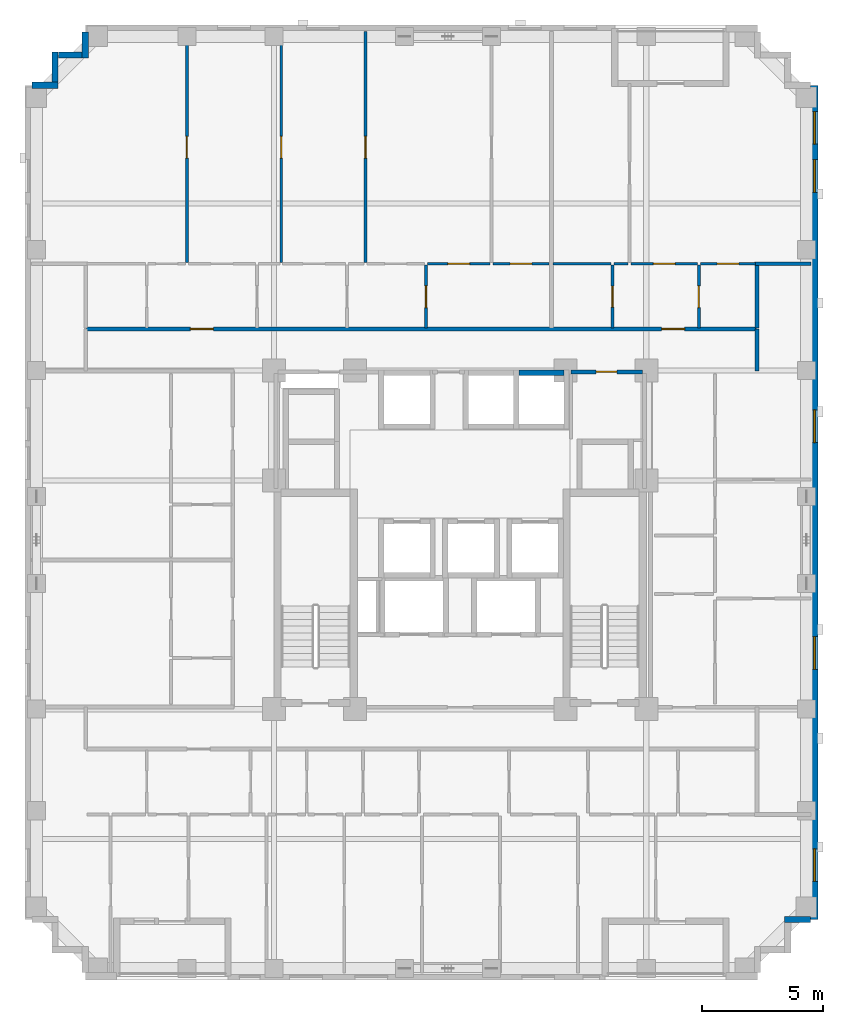
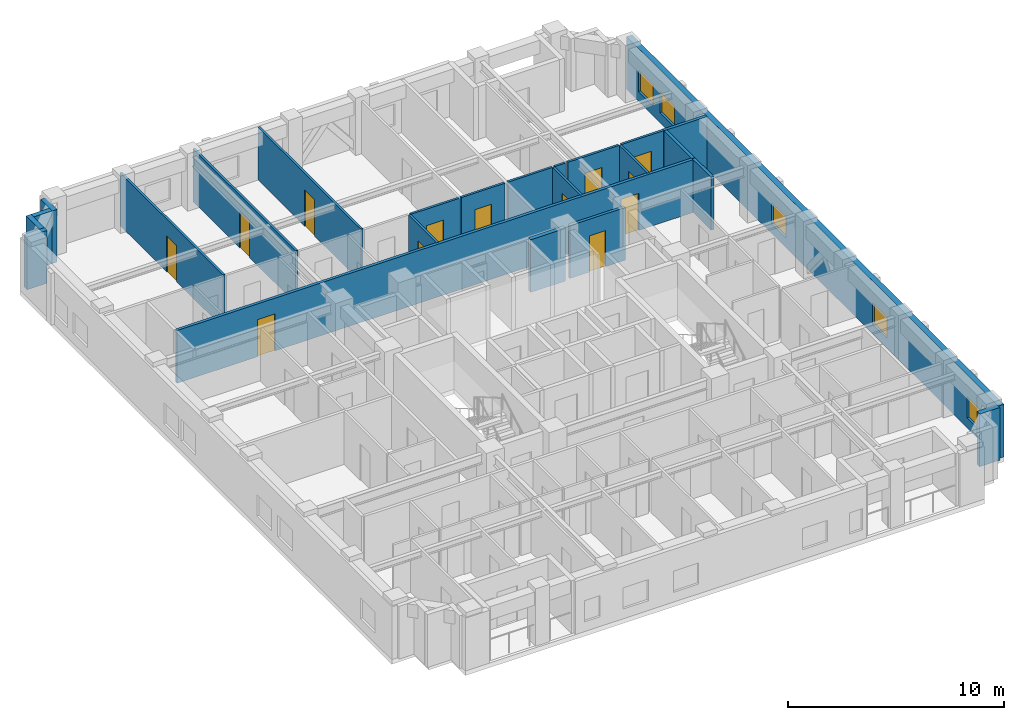
# One storey, part 7 of 12: 24 walls, 13 doors, 5 windows, 18 openings.
"""IFC4 building model written with IfcOpenShell, lengths in metres."""

import ifcopenshell
import ifcopenshell.guid

model = None  # the IFC model being written
_history = None  # IfcOwnerHistory: only IFC2X3 demands one
_inside = {}  # id of a spatial element -> (the spatial element, [elements in it])
_under = {}  # id of a project, library or spatial element -> (it, [spatial elements below it])
_declared = {}  # id of a project -> (the project, [libraries it declares])
_typed = {}  # id of a type object -> (the type object, [elements of that type])
_made_of = {}  # id of a material, layer set ... -> (it, [elements and type objects made of it])


def new_model(schema):
    """Start an empty IFC model of exactly this schema.

    Asked for "IFC4X3", IfcOpenShell would pick the latest addendum, in which some entities
    have other attributes; the version numbers below select the first issue.
    IFC2X3 requires an IfcOwnerHistory on every rooted entity: one is made here for all.
    """
    global model, _history
    if schema == "IFC4X3":
        model = ifcopenshell.file(schema_version=(4, 3, 0, 0))
    else:
        model = ifcopenshell.file(schema=schema)
    _inside.clear()
    _under.clear()
    _declared.clear()
    _typed.clear()
    _made_of.clear()
    _history = None
    if model.schema == "IFC2X3":
        org = make("IfcOrganization", Name="unknown")
        user = make(
            "IfcPersonAndOrganization",
            ThePerson=make("IfcPerson", FamilyName="unknown"),
            TheOrganization=org,
        )
        app = make(
            "IfcApplication",
            ApplicationDeveloper=org,
            Version="unknown",
            ApplicationFullName="unknown",
            ApplicationIdentifier="unknown",
        )
        _history = make(
            "IfcOwnerHistory",
            OwningUser=user,
            OwningApplication=app,
            ChangeAction="ADDED",
            CreationDate=0,
        )
    return model


def make(cls, **values):
    """One entity of the class cls with the attributes given. An attribute that is None is left unset."""
    return model.create_entity(
        cls, **{name: value for name, value in values.items() if value is not None}
    )


def rooted(cls, **values):
    """An entity with a GlobalId (a new one), such as an element, a storey or a relation."""
    return make(cls, GlobalId=ifcopenshell.guid.new(), OwnerHistory=_history, **values)


def si_unit(unit_type, name, prefix=None):
    """IfcSIUnit, for example si_unit("LENGTHUNIT", "METRE", prefix="MILLI")."""
    return make("IfcSIUnit", UnitType=unit_type, Prefix=prefix, Name=name)


def derived_unit(unit_type, elements):
    """IfcDerivedUnit: a product of units, each with its exponent."""
    return make(
        "IfcDerivedUnit",
        Elements=[
            make("IfcDerivedUnitElement", Unit=unit, Exponent=power)
            for unit, power in elements
        ],
        UnitType=unit_type,
    )


def assignment(units):
    """IfcUnitAssignment: the units of a project."""
    return None if units is None else make("IfcUnitAssignment", Units=units)


def point(xyz):
    """IfcCartesianPoint."""
    return None if xyz is None else make("IfcCartesianPoint", Coordinates=xyz)


def direction(xyz):
    """IfcDirection."""
    return None if xyz is None else make("IfcDirection", DirectionRatios=xyz)


def frame(location, z_axis=None, x_axis=None):
    """IfcAxis2Placement3D, a coordinate frame: its origin and axes. An axis left out is left unset."""
    return make(
        "IfcAxis2Placement3D",
        Location=point(location),
        Axis=direction(z_axis),
        RefDirection=direction(x_axis),
    )


def frame_2d(location, x_axis=None):
    """IfcAxis2Placement2D, a coordinate frame in the plane: its origin and x axis."""
    return make(
        "IfcAxis2Placement2D", Location=point(location), RefDirection=direction(x_axis)
    )


def origin():
    """The frame at (0, 0, 0) with its axes left unset."""
    return frame((0.0, 0.0, 0.0))


def place(relative_to, where):
    """IfcLocalPlacement: puts the frame where relative to a parent placement (None: the world)."""
    return make(
        "IfcLocalPlacement", PlacementRelTo=relative_to, RelativePlacement=where
    )


def context(
    kind, dimensions, precision=None, world=None, true_north=None, identifier=None
):
    """IfcGeometricRepresentationContext, for example the 3D "Model" context."""
    return make(
        "IfcGeometricRepresentationContext",
        ContextIdentifier=identifier,
        ContextType=kind,
        CoordinateSpaceDimension=dimensions,
        Precision=precision,
        WorldCoordinateSystem=world,
        TrueNorth=true_north,
    )


def subcontext(parent, identifier, kind, view, scale=None):
    """IfcGeometricRepresentationSubContext, for example "Body" below "Model"."""
    return make(
        "IfcGeometricRepresentationSubContext",
        ContextIdentifier=identifier,
        ContextType=kind,
        ParentContext=parent,
        TargetScale=scale,
        TargetView=view,
    )


def project(units=None, contexts=None):
    """IfcProject with its units and contexts."""
    return rooted(
        "IfcProject",
        Name="project",
        RepresentationContexts=contexts,
        UnitsInContext=assignment(units),
    )


def spatial(cls, under=None, at=None, **own):
    """A site, building, storey or space (cls), placed at a placement, below another one or the project."""
    s = rooted(cls, ObjectPlacement=at, **own)
    if under is not None:
        _under.setdefault(under.id(), (under, []))[1].append(s)
    return s


def profile(cls, at=None, kind="AREA", **sizes):
    """A parametric profile (cls). Its sizes go by their IFC names, for example OverallWidth=200.0."""
    return make(cls, ProfileType=kind, Position=at, **sizes)


def rectangle(**sizes):
    """IfcRectangleProfileDef."""
    return profile("IfcRectangleProfileDef", **sizes)


def extrude(swept, where, along, depth):
    """IfcExtrudedAreaSolid: the profile swept, set in the frame where, extruded along a direction by depth."""
    return make(
        "IfcExtrudedAreaSolid",
        SweptArea=swept,
        Position=where,
        ExtrudedDirection=direction(along),
        Depth=depth,
    )


def shape(context_of_items, identifier, shape_type, items):
    """IfcShapeRepresentation: the items that make up one representation, for example the "Body"."""
    return make(
        "IfcShapeRepresentation",
        ContextOfItems=context_of_items,
        RepresentationIdentifier=identifier,
        RepresentationType=shape_type,
        Items=items,
    )


def material(Name=None, Category=None):
    """IfcMaterial."""
    return make("IfcMaterial", Name=Name, Category=Category)


def layer(
    of_material, thickness, ventilated=None, Name=None, Category=None, Priority=None
):
    """IfcMaterialLayer: one layer of a wall or slab, of a material (None: an air gap)."""
    return make(
        "IfcMaterialLayer",
        Material=of_material,
        LayerThickness=thickness,
        IsVentilated=ventilated,
        Name=Name,
        Category=Category,
        Priority=Priority,
    )


def layer_set(layers, Name=None):
    """IfcMaterialLayerSet."""
    return make("IfcMaterialLayerSet", MaterialLayers=layers, LayerSetName=Name)


def made_of(thing, what):
    """Note that an element or type object is made of a material, layer set ...; save() writes the relation."""
    if what is not None:
        _made_of.setdefault(what.id(), (what, []))[1].append(thing)
    return thing


def type_object(cls, material=None, **own):
    """A type object (cls), such as IfcWallType, which elements share."""
    return made_of(rooted(cls, **own), material)


def element(
    cls,
    number,
    at=None,
    inside=None,
    cuts=None,
    type_object=None,
    material=None,
    context=None,
    identifier="Body",
    shape_type=None,
    held_by="IfcProductDefinitionShape",
    body=None,
    shapes=None,
    **own,
):
    """One element of the class cls, such as IfcWall. Its Tag is "e" and its number.

    at: its placement. inside: the storey or other place that contains it. cuts: it is an
    opening in that element (IfcRelVoidsElement). A single representation is given by context,
    identifier, shape_type and body (its items); several are given by shapes. held_by: the class
    of the entity that holds the representations. save() writes the other relations.
    """
    e = rooted(cls, Tag="e%d" % number, ObjectPlacement=at, **own)
    if body is not None:
        shapes = [shape(context, identifier, shape_type, body)]
    if shapes is not None:
        e.Representation = make(held_by, Representations=shapes)
    if inside is not None:
        _inside.setdefault(inside.id(), (inside, []))[1].append(e)
    if cuts is not None:
        rooted(
            "IfcRelVoidsElement", RelatingBuildingElement=cuts, RelatedOpeningElement=e
        )
    if type_object is not None:
        _typed.setdefault(type_object.id(), (type_object, []))[1].append(e)
    return made_of(e, material)


def fill(opening, filler):
    """IfcRelFillsElement: the door or window that sits in an opening."""
    return rooted(
        "IfcRelFillsElement",
        RelatingOpeningElement=opening,
        RelatedBuildingElement=filler,
    )


def aggregate(whole, parts):
    """IfcRelAggregates: a whole, such as a stair, and the parts it consists of."""
    return rooted("IfcRelAggregates", RelatingObject=whole, RelatedObjects=parts)


def save(model, path):
    """Write the relations noted so far, then the file.

    IfcRelAggregates (storeys below a building ...), IfcRelContainedInSpatialStructure (elements
    in a storey), IfcRelDefinesByType, IfcRelAssociatesMaterial and IfcRelDeclares: one each for
    every whole, place, type object, material and project.
    """
    for whole, parts in _under.values():
        aggregate(whole, parts)
    for where, things in _inside.values():
        rooted(
            "IfcRelContainedInSpatialStructure",
            RelatedElements=things,
            RelatingStructure=where,
        )
    for kind, things in _typed.values():
        rooted("IfcRelDefinesByType", RelatedObjects=things, RelatingType=kind)
    for what, things in _made_of.values():
        rooted("IfcRelAssociatesMaterial", RelatedObjects=things, RelatingMaterial=what)
    for by, libraries in _declared.values():
        rooted("IfcRelDeclares", RelatingContext=by, RelatedDefinitions=libraries)
    model.write(path)


model = new_model("IFC4")

# Units and contexts
model_context = context("Model", 3, precision=1e-05, world=origin(), true_north=direction((0.0, 1.0)))
body_context = subcontext(model_context, "Body", "Model", "MODEL_VIEW")
ifc_project = project(units=[si_unit("LENGTHUNIT", "METRE"), si_unit("AREAUNIT", "SQUARE_METRE"), si_unit("VOLUMEUNIT", "CUBIC_METRE"), si_unit("PLANEANGLEUNIT", "RADIAN"), si_unit("MASSUNIT", "GRAM", prefix="KILO"), derived_unit("THERMALTRANSMITTANCEUNIT", [(si_unit("MASSUNIT", "GRAM", prefix="KILO"), 1), (si_unit("TIMEUNIT", "SECOND"), -3), (si_unit("THERMODYNAMICTEMPERATUREUNIT", "KELVIN"), -1)])], contexts=[model_context])

# Site, building, storey
site_placement = place(None, origin())
site = spatial("IfcSite", under=ifc_project, at=site_placement, CompositionType="ELEMENT")
building_placement = place(site_placement, origin())
building = spatial("IfcBuilding", under=site, at=building_placement, Name="Korrvale Station Residences", CompositionType="ELEMENT")
storey_placement = place(building_placement, frame((0.0, 0.0, 127.64990234375)))
storey = spatial("IfcBuildingStorey", under=building, at=storey_placement, Name="L36", CompositionType="ELEMENT", Elevation=127.64990234375)

# Walls
ifc_material_1 = material(Name="Precast concrete C45/55", Category="concrete")
ifc_layer_1 = layer(ifc_material_1, 0.260009765625, Name="Precast concrete C45/55")
ifc_layer_set_1 = layer_set([ifc_layer_1], Name="Precast concrete C45/55")
wall_type_1 = type_object("IfcWallType", Name="WAL-EXT-LOG260", PredefinedType="SOLIDWALL", material=ifc_layer_set_1)
wall_1_placement = place(storey_placement, frame((7.802001953125, 40.800048828125, 0.0), z_axis=(0.0, 0.0, 1.0), x_axis=(1.0, 0.0, 0.0)))
element("IfcWall", 1, at=wall_1_placement, inside=storey, type_object=wall_type_1, Name="L36 Serrated Corner Precast Step NW-1", PredefinedType="SOLIDWALL", context=body_context, shape_type="SweptSolid", body=[
    extrude(rectangle(XDim=1.077880859375, YDim=0.260009765625, at=frame_2d((0.5390625, 0.0))), origin(), (0.0, 0.0, 1.0), 2.989990234375),
])
wall_2_placement = place(storey_placement, frame((8.75, 40.931884765625, 0.0), z_axis=(0.0, 0.0, 1.0), x_axis=(0.0, 1.0, 0.0)))
element("IfcWall", 2, at=wall_2_placement, inside=storey, type_object=wall_type_1, Name="L36 Serrated Corner Precast Step NW-2", PredefinedType="SOLIDWALL", context=body_context, shape_type="SweptSolid", body=[
    extrude(rectangle(XDim=1.248046875, YDim=0.260009765625, at=frame_2d((0.6240234375, 0.0))), origin(), (0.0, 0.0, 1.0), 2.989990234375),
])
wall_3_placement = place(storey_placement, frame((8.882080078125, 42.050048828125, 0.0), z_axis=(0.0, 0.0, 1.0), x_axis=(1.0, 0.0, 0.0)))
element("IfcWall", 3, at=wall_3_placement, inside=storey, type_object=wall_type_1, Name="L36 Serrated Corner Precast Step NW-3", PredefinedType="SOLIDWALL", context=body_context, shape_type="SweptSolid", body=[
    extrude(rectangle(XDim=0.98583984375, YDim=0.260009765625, at=frame_2d((0.492919921875, 0.0))), origin(), (0.0, 0.0, 1.0), 2.989990234375),
])
for number, where, z_axis, x_axis, name in (
    (4, (10.0, 41.919921875, 0.0), (0.0, 0.0, 1.0), (0.0, 1.0, 0.0), "L36 Serrated Corner Precast Step NW-4"),
    (5, (39.998046875, 6.300048828125, 0.0), (0.0, 0.0, 1.0), (-1.0, 0.0, 0.0), "L36 Serrated Corner Precast Step SE-1"),
):
    element("IfcWall", number, at=place(storey_placement, frame(where, z_axis=z_axis, x_axis=x_axis)), inside=storey, type_object=wall_type_1, Name=name, PredefinedType="SOLIDWALL", context=body_context, shape_type="SweptSolid", body=[
        extrude(rectangle(XDim=1.078125, YDim=0.260009765625, at=frame_2d((0.5390625, 0.0))), origin(), (0.0, 0.0, 1.0), 2.989990234375),
    ])

# Wall, openings, windows
ifc_layer_2 = layer(ifc_material_1, 0.300048828125, Name="Precast concrete C45/55")
ifc_layer_set_2 = layer_set([ifc_layer_2], Name="Precast concrete C45/55")
wall_type_2 = type_object("IfcWallType", Name="WAL-EXT-PC300", PredefinedType="SOLIDWALL", material=ifc_layer_set_2)
wall_4_placement = place(storey_placement, frame((40.14990234375, 40.800048828125, 0.0), z_axis=(0.0, 0.0, 1.0), x_axis=(0.0, -1.0, 0.0)))
wall_4 = element("IfcWall", 6, at=wall_4_placement, inside=storey, type_object=wall_type_2, Name="L36 East Exterior Precast Wall 1", PredefinedType="SOLIDWALL", context=body_context, shape_type="SweptSolid", body=[
    extrude(rectangle(XDim=34.5, YDim=0.300048828125, at=frame_2d((17.25, 0.0))), origin(), (0.0, 0.0, 1.0), 2.989990234375),
])
opening_1_placement = place(wall_4_placement, frame((31.574951171875, 0.0, 0.550048828125)))
opening_1 = element("IfcOpeningElement", 7, at=opening_1_placement, cuts=wall_4, Name="Opening W-10", PredefinedType="OPENING", context=body_context, shape_type="SweptSolid", body=[
    extrude(rectangle(XDim=1.35009765625, YDim=1.199951171875, at=frame_2d((0.675048828125, 0.60009765625))), frame((0.0, 0.16015625, 0.0), z_axis=(0.0, -1.0, 0.0), x_axis=(1.0, 0.0, 0.0)), (0.0, 0.0, 1.0), 0.320068359375),
])
opening_2_placement = place(wall_4_placement, frame((3.074951171875, 0.0, 0.550048828125)))
opening_2 = element("IfcOpeningElement", 8, at=opening_2_placement, cuts=wall_4, Name="Opening W-10", PredefinedType="OPENING", context=body_context, shape_type="SweptSolid", body=[
    extrude(rectangle(XDim=1.35009765625, YDim=1.199951171875, at=frame_2d((0.675048828125, 0.60009765625))), frame((0.0, 0.16015625, 0.0), z_axis=(0.0, -1.0, 0.0), x_axis=(1.0, 0.0, 0.0)), (0.0, 0.0, 1.0), 0.320068359375),
])
opening_3_placement = place(wall_4_placement, frame((1.0849609375, 0.0, 0.550048828125)))
opening_3 = element("IfcOpeningElement", 9, at=opening_3_placement, cuts=wall_4, Name="Opening W-10", PredefinedType="OPENING", context=body_context, shape_type="SweptSolid", body=[
    extrude(rectangle(XDim=1.35009765625, YDim=1.199951171875, at=frame_2d((0.675048828125, 0.60009765625))), frame((0.0, 0.16015625, 0.0), z_axis=(0.0, -1.0, 0.0), x_axis=(1.0, 0.0, 0.0)), (0.0, 0.0, 1.0), 0.320068359375),
])
opening_4_placement = place(wall_4_placement, frame((22.800048828125, 0.0, 0.550048828125)))
opening_4 = element("IfcOpeningElement", 10, at=opening_4_placement, cuts=wall_4, Name="Opening W-10", PredefinedType="OPENING", context=body_context, shape_type="SweptSolid", body=[
    extrude(rectangle(XDim=1.35009765625, YDim=1.199951171875, at=frame_2d((0.675048828125, 0.60009765625))), frame((0.0, 0.16015625, 0.0), z_axis=(0.0, -1.0, 0.0), x_axis=(1.0, 0.0, 0.0)), (0.0, 0.0, 1.0), 0.320068359375),
])
opening_5_placement = place(wall_4_placement, frame((13.425048828125, 0.0, 0.550048828125)))
opening_5 = element("IfcOpeningElement", 11, at=opening_5_placement, cuts=wall_4, Name="Opening W-10", PredefinedType="OPENING", context=body_context, shape_type="SweptSolid", body=[
    extrude(rectangle(XDim=1.35009765625, YDim=1.199951171875, at=frame_2d((0.675048828125, 0.60009765625))), frame((0.0, 0.16015625, 0.0), z_axis=(0.0, -1.0, 0.0), x_axis=(1.0, 0.0, 0.0)), (0.0, 0.0, 1.0), 0.320068359375),
])
ifc_material_2 = material(Name="Thermally broken aluminium frame with triple low-e glazing", Category="aluminium")
window_type = type_object("IfcWindowType", Name="WIN-W10", PartitioningType="SINGLE_PANEL", PredefinedType="WINDOW", material=ifc_material_2)
window_1_placement = place(opening_1_placement, origin())
window_1 = element("IfcWindow", 12, at=window_1_placement, inside=storey, type_object=window_type, Name="L36 Punched Window 08", OverallHeight=1.199951171875, OverallWidth=1.35009765625, PartitioningType="SINGLE_PANEL", PredefinedType="WINDOW", context=body_context, shape_type="SweptSolid", body=[
    extrude(rectangle(XDim=1.35009765625, YDim=1.199951171875, at=frame_2d((0.675048828125, 0.60009765625))), frame((0.0, 0.030029296875, 0.0), z_axis=(0.0, -1.0, 0.0), x_axis=(1.0, 0.0, 0.0)), (0.0, 0.0, 1.0), 0.06005859375),
])
fill(opening_1, window_1)
window_2_placement = place(opening_2_placement, origin())
window_2 = element("IfcWindow", 13, at=window_2_placement, inside=storey, type_object=window_type, Name="L36 Punched Window 15", OverallHeight=1.199951171875, OverallWidth=1.35009765625, PartitioningType="SINGLE_PANEL", PredefinedType="WINDOW", context=body_context, shape_type="SweptSolid", body=[
    extrude(rectangle(XDim=1.35009765625, YDim=1.199951171875, at=frame_2d((0.675048828125, 0.60009765625))), frame((0.0, 0.030029296875, 0.0), z_axis=(0.0, -1.0, 0.0), x_axis=(1.0, 0.0, 0.0)), (0.0, 0.0, 1.0), 0.06005859375),
])
fill(opening_2, window_2)
window_3_placement = place(opening_3_placement, origin())
window_3 = element("IfcWindow", 14, at=window_3_placement, inside=storey, type_object=window_type, Name="L36 Punched Window 16", OverallHeight=1.199951171875, OverallWidth=1.35009765625, PartitioningType="SINGLE_PANEL", PredefinedType="WINDOW", context=body_context, shape_type="SweptSolid", body=[
    extrude(rectangle(XDim=1.35009765625, YDim=1.199951171875, at=frame_2d((0.675048828125, 0.60009765625))), frame((0.0, 0.030029296875, 0.0), z_axis=(0.0, -1.0, 0.0), x_axis=(1.0, 0.0, 0.0)), (0.0, 0.0, 1.0), 0.06005859375),
])
fill(opening_3, window_3)
window_4_placement = place(opening_4_placement, origin())
window_4 = element("IfcWindow", 15, at=window_4_placement, inside=storey, type_object=window_type, Name="L36 Punched Window 21", OverallHeight=1.199951171875, OverallWidth=1.35009765625, PartitioningType="SINGLE_PANEL", PredefinedType="WINDOW", context=body_context, shape_type="SweptSolid", body=[
    extrude(rectangle(XDim=1.35009765625, YDim=1.199951171875, at=frame_2d((0.675048828125, 0.60009765625))), frame((0.0, 0.030029296875, 0.0), z_axis=(0.0, -1.0, 0.0), x_axis=(1.0, 0.0, 0.0)), (0.0, 0.0, 1.0), 0.06005859375),
])
fill(opening_4, window_4)
window_5_placement = place(opening_5_placement, origin())
window_5 = element("IfcWindow", 16, at=window_5_placement, inside=storey, type_object=window_type, Name="L36 Punched Window 22", OverallHeight=1.199951171875, OverallWidth=1.35009765625, PartitioningType="SINGLE_PANEL", PredefinedType="WINDOW", context=body_context, shape_type="SweptSolid", body=[
    extrude(rectangle(XDim=1.35009765625, YDim=1.199951171875, at=frame_2d((0.675048828125, 0.60009765625))), frame((0.0, 0.030029296875, 0.0), z_axis=(0.0, -1.0, 0.0), x_axis=(1.0, 0.0, 0.0)), (0.0, 0.0, 1.0), 0.06005859375),
])
fill(opening_5, window_5)

# Wall, opening, door
ifc_material_3 = material(Name="Acoustic steel-stud gypsum board partition", Category="steel")
ifc_layer_3 = layer(ifc_material_3, 0.1201171875, Name="Acoustic steel-stud gypsum board partition")
ifc_layer_set_3 = layer_set([ifc_layer_3], Name="Acoustic steel-stud gypsum board partition")
wall_type_3 = type_object("IfcWallType", Name="WAL-PART-125", PredefinedType="PARTITIONING", material=ifc_layer_set_3)
wall_5_placement = place(storey_placement, frame((24.090087890625, 30.760009765625, 0.0), z_axis=(0.0, 0.0, 1.0), x_axis=(0.0, 1.0, 0.0)))
wall_5 = element("IfcWall", 17, at=wall_5_placement, inside=storey, type_object=wall_type_3, Name="L36 Suite Partition U02-V34", PredefinedType="PARTITIONING", context=body_context, shape_type="SweptSolid", body=[
    extrude(rectangle(XDim=2.60009765625, YDim=0.1201171875, at=frame_2d((1.300048828125, 0.0))), origin(), (0.0, 0.0, 1.0), 2.989990234375),
])
opening_6_placement = place(wall_5_placement, frame((0.85009765625, 0.0, 0.0)))
opening_6 = element("IfcOpeningElement", 18, at=opening_6_placement, cuts=wall_5, Name="Opening DI-900", PredefinedType="OPENING", context=body_context, shape_type="SweptSolid", body=[
    extrude(rectangle(XDim=0.89990234375, YDim=2.050048828125, at=frame_2d((0.449951171875, 1.02490234375))), frame((0.0, 0.070068359375, 0.0), z_axis=(0.0, -1.0, 0.0), x_axis=(1.0, 0.0, 0.0)), (0.0, 0.0, 1.0), 0.14013671875),
])
ifc_material_4 = material(Name="Painted solid-core timber interior room door", Category="wood")
door_type_1 = type_object("IfcDoorType", Name="DR-INT-900", OperationType="NOTDEFINED", PredefinedType="DOOR", material=ifc_material_4)
door_1_placement = place(opening_6_placement, origin())
door_1 = element("IfcDoor", 19, at=door_1_placement, inside=storey, type_object=door_type_1, Name="L36 Apartment 1BR L36-U02 Storage Closet 2 Door", OperationType="SINGLE_SWING_LEFT", OverallHeight=2.050048828125, OverallWidth=0.89990234375, PredefinedType="DOOR", context=body_context, shape_type="SweptSolid", body=[
    extrude(rectangle(XDim=0.89990234375, YDim=2.050048828125, at=frame_2d((0.449951171875, 1.02490234375))), frame((0.0, 0.02490234375, 0.0), z_axis=(0.0, -1.0, 0.0), x_axis=(1.0, 0.0, 0.0)), (0.0, 0.0, 1.0), 0.050048828125),
])
fill(opening_6, door_1)

wall_6_placement = place(storey_placement, frame((24.14990234375, 33.419921875, 0.0), z_axis=(0.0, 0.0, 1.0), x_axis=(1.0, 0.0, 0.0)))
wall_6 = element("IfcWall", 20, at=wall_6_placement, inside=storey, type_object=wall_type_3, Name="L36 Suite Partition U02-H48", PredefinedType="PARTITIONING", context=body_context, shape_type="SweptSolid", body=[
    extrude(rectangle(XDim=2.590087890625, YDim=0.1201171875, at=frame_2d((1.294921875, 0.0))), origin(), (0.0, 0.0, 1.0), 2.989990234375),
])
opening_7_placement = place(wall_6_placement, frame((0.844970703125, 0.0, 0.0)))
opening_7 = element("IfcOpeningElement", 21, at=opening_7_placement, cuts=wall_6, Name="Opening DI-900", PredefinedType="OPENING", context=body_context, shape_type="SweptSolid", body=[
    extrude(rectangle(XDim=0.89990234375, YDim=2.050048828125, at=frame_2d((0.449951171875, 1.02490234375))), frame((0.0, 0.070068359375, 0.0), z_axis=(0.0, -1.0, 0.0), x_axis=(1.0, 0.0, 0.0)), (0.0, 0.0, 1.0), 0.14013671875),
])
door_2_placement = place(opening_7_placement, origin())
door_2 = element("IfcDoor", 22, at=door_2_placement, inside=storey, type_object=door_type_1, Name="L36 Apartment 1BR L36-U02 Storage Closet 3 Door", OperationType="SINGLE_SWING_LEFT", OverallHeight=2.050048828125, OverallWidth=0.89990234375, PredefinedType="DOOR", context=body_context, shape_type="SweptSolid", body=[
    extrude(rectangle(XDim=0.89990234375, YDim=2.050048828125, at=frame_2d((0.449951171875, 1.02490234375))), frame((0.0, 0.02490234375, 0.0), z_axis=(0.0, -1.0, 0.0), x_axis=(1.0, 0.0, 0.0)), (0.0, 0.0, 1.0), 0.050048828125),
])
fill(opening_7, door_2)

wall_7_placement = place(storey_placement, frame((26.860107421875, 33.419921875, 0.0), z_axis=(0.0, 0.0, 1.0), x_axis=(1.0, 0.0, 0.0)))
wall_7 = element("IfcWall", 23, at=wall_7_placement, inside=storey, type_object=wall_type_3, Name="L36 Suite Partition U02-H49", PredefinedType="PARTITIONING", context=body_context, shape_type="SweptSolid", body=[
    extrude(rectangle(XDim=2.322998046875, YDim=0.1201171875, at=frame_2d((1.16162109375, 0.0))), origin(), (0.0, 0.0, 1.0), 2.989990234375),
])
opening_8_placement = place(wall_7_placement, frame((0.7119140625, 0.0, 0.0)))
opening_8 = element("IfcOpeningElement", 24, at=opening_8_placement, cuts=wall_7, Name="Opening DI-900", PredefinedType="OPENING", context=body_context, shape_type="SweptSolid", body=[
    extrude(rectangle(XDim=0.89990234375, YDim=2.050048828125, at=frame_2d((0.449951171875, 1.02490234375))), frame((0.0, 0.070068359375, 0.0), z_axis=(0.0, -1.0, 0.0), x_axis=(1.0, 0.0, 0.0)), (0.0, 0.0, 1.0), 0.14013671875),
])
door_3_placement = place(opening_8_placement, origin())
door_3 = element("IfcDoor", 25, at=door_3_placement, inside=storey, type_object=door_type_1, Name="L36 Apartment 1BR L36-U02 Storage Closet 3 Door", OperationType="SINGLE_SWING_RIGHT", OverallHeight=2.050048828125, OverallWidth=0.89990234375, PredefinedType="DOOR", context=body_context, shape_type="SweptSolid", body=[
    extrude(rectangle(XDim=0.89990234375, YDim=2.050048828125, at=frame_2d((0.449951171875, 1.02490234375))), frame((0.0, 0.02490234375, 0.0), z_axis=(0.0, -1.0, 0.0), x_axis=(1.0, 0.0, 0.0)), (0.0, 0.0, 1.0), 0.050048828125),
])
fill(opening_8, door_3)

wall_8_placement = place(storey_placement, frame((14.199951171875, 33.47998046875, 0.0), z_axis=(0.0, 0.0, 1.0), x_axis=(0.0, 1.0, 0.0)))
wall_8 = element("IfcWall", 26, at=wall_8_placement, inside=storey, type_object=wall_type_3, Name="L36 Suite Partition U02-V56", PredefinedType="PARTITIONING", context=body_context, shape_type="SweptSolid", body=[
    extrude(rectangle(XDim=9.5400390625, YDim=0.1201171875, at=frame_2d((4.77001953125, 0.0))), origin(), (0.0, 0.0, 1.0), 2.989990234375),
])
opening_9_placement = place(wall_8_placement, frame((4.304931640625, 0.0, 0.0)))
opening_9 = element("IfcOpeningElement", 27, at=opening_9_placement, cuts=wall_8, Name="Opening DI-900", PredefinedType="OPENING", context=body_context, shape_type="SweptSolid", body=[
    extrude(rectangle(XDim=0.89990234375, YDim=2.050048828125, at=frame_2d((0.449951171875, 1.02490234375))), frame((0.0, 0.070068359375, 0.0), z_axis=(0.0, -1.0, 0.0), x_axis=(1.0, 0.0, 0.0)), (0.0, 0.0, 1.0), 0.14013671875),
])
door_4_placement = place(opening_9_placement, origin())
door_4 = element("IfcDoor", 28, at=door_4_placement, inside=storey, type_object=door_type_1, Name="L36 Apartment 1BR L36-U02 Living and Dining Room Door", OperationType="SINGLE_SWING_LEFT", OverallHeight=2.050048828125, OverallWidth=0.89990234375, PredefinedType="DOOR", context=body_context, shape_type="SweptSolid", body=[
    extrude(rectangle(XDim=0.89990234375, YDim=2.050048828125, at=frame_2d((0.449951171875, 1.02490234375))), frame((0.0, 0.02490234375, 0.0), z_axis=(0.0, -1.0, 0.0), x_axis=(1.0, 0.0, 0.0)), (0.0, 0.0, 1.0), 0.050048828125),
])
fill(opening_9, door_4)

wall_9_placement = place(storey_placement, frame((18.10498046875, 33.47998046875, 0.0), z_axis=(0.0, 0.0, 1.0), x_axis=(0.0, 1.0, 0.0)))
wall_9 = element("IfcWall", 29, at=wall_9_placement, inside=storey, type_object=wall_type_3, Name="L36 Suite Partition U02-V67", PredefinedType="PARTITIONING", context=body_context, shape_type="SweptSolid", body=[
    extrude(rectangle(XDim=9.5400390625, YDim=0.1201171875, at=frame_2d((4.77001953125, 0.0))), origin(), (0.0, 0.0, 1.0), 2.989990234375),
])
opening_10_placement = place(wall_9_placement, frame((4.304931640625, 0.0, 0.0)))
opening_10 = element("IfcOpeningElement", 30, at=opening_10_placement, cuts=wall_9, Name="Opening DI-900", PredefinedType="OPENING", context=body_context, shape_type="SweptSolid", body=[
    extrude(rectangle(XDim=0.89990234375, YDim=2.050048828125, at=frame_2d((0.449951171875, 1.02490234375))), frame((0.0, 0.070068359375, 0.0), z_axis=(0.0, -1.0, 0.0), x_axis=(1.0, 0.0, 0.0)), (0.0, 0.0, 1.0), 0.14013671875),
])
door_5_placement = place(opening_10_placement, origin())
door_5 = element("IfcDoor", 31, at=door_5_placement, inside=storey, type_object=door_type_1, Name="L36 Apartment 1BR L36-U02 Formal Dining Room Door", OperationType="SINGLE_SWING_RIGHT", OverallHeight=2.050048828125, OverallWidth=0.89990234375, PredefinedType="DOOR", context=body_context, shape_type="SweptSolid", body=[
    extrude(rectangle(XDim=0.89990234375, YDim=2.050048828125, at=frame_2d((0.449951171875, 1.02490234375))), frame((0.0, 0.02490234375, 0.0), z_axis=(0.0, -1.0, 0.0), x_axis=(1.0, 0.0, 0.0)), (0.0, 0.0, 1.0), 0.050048828125),
])
fill(opening_10, door_5)

wall_10_placement = place(storey_placement, frame((21.590087890625, 33.47998046875, 0.0), z_axis=(0.0, 0.0, 1.0), x_axis=(0.0, 1.0, 0.0)))
wall_10 = element("IfcWall", 32, at=wall_10_placement, inside=storey, type_object=wall_type_3, Name="L36 Suite Partition U02-V78", PredefinedType="PARTITIONING", context=body_context, shape_type="SweptSolid", body=[
    extrude(rectangle(XDim=9.5400390625, YDim=0.1201171875, at=frame_2d((4.77001953125, 0.0))), origin(), (0.0, 0.0, 1.0), 2.989990234375),
])
opening_11_placement = place(wall_10_placement, frame((4.304931640625, 0.0, 0.0)))
opening_11 = element("IfcOpeningElement", 33, at=opening_11_placement, cuts=wall_10, Name="Opening DI-900", PredefinedType="OPENING", context=body_context, shape_type="SweptSolid", body=[
    extrude(rectangle(XDim=0.89990234375, YDim=2.050048828125, at=frame_2d((0.449951171875, 1.02490234375))), frame((0.0, 0.070068359375, 0.0), z_axis=(0.0, -1.0, 0.0), x_axis=(1.0, 0.0, 0.0)), (0.0, 0.0, 1.0), 0.14013671875),
])
door_6_placement = place(opening_11_placement, origin())
door_6 = element("IfcDoor", 34, at=door_6_placement, inside=storey, type_object=door_type_1, Name="L36 Apartment 1BR L36-U02 Home Study Room Door", OperationType="SINGLE_SWING_LEFT", OverallHeight=2.050048828125, OverallWidth=0.89990234375, PredefinedType="DOOR", context=body_context, shape_type="SweptSolid", body=[
    extrude(rectangle(XDim=0.89990234375, YDim=2.050048828125, at=frame_2d((0.449951171875, 1.02490234375))), frame((0.0, 0.02490234375, 0.0), z_axis=(0.0, -1.0, 0.0), x_axis=(1.0, 0.0, 0.0)), (0.0, 0.0, 1.0), 0.050048828125),
])
fill(opening_11, door_6)

wall_11_placement = place(storey_placement, frame((31.802978515625, 30.760009765625, 0.0), z_axis=(0.0, 0.0, 1.0), x_axis=(0.0, 1.0, 0.0)))
wall_11 = element("IfcWall", 35, at=wall_11_placement, inside=storey, type_object=wall_type_3, Name="L36 Suite Partition U03-V01", PredefinedType="PARTITIONING", context=body_context, shape_type="SweptSolid", body=[
    extrude(rectangle(XDim=2.60009765625, YDim=0.1201171875, at=frame_2d((1.300048828125, 0.0))), origin(), (0.0, 0.0, 1.0), 2.989990234375),
])
opening_12_placement = place(wall_11_placement, frame((0.8701171875, 0.0, 0.0)))
opening_12 = element("IfcOpeningElement", 36, at=opening_12_placement, cuts=wall_11, Name="Opening DB-860", PredefinedType="OPENING", context=body_context, shape_type="SweptSolid", body=[
    extrude(rectangle(XDim=0.860107421875, YDim=2.050048828125, at=frame_2d((0.43017578125, 1.02490234375))), frame((0.0, 0.070068359375, 0.0), z_axis=(0.0, -1.0, 0.0), x_axis=(1.0, 0.0, 0.0)), (0.0, 0.0, 1.0), 0.14013671875),
])
ifc_material_5 = material(Name="Moisture-resistant solid-core bathroom door", Category="timber")
door_type_2 = type_object("IfcDoorType", Name="DR-BATH-860", OperationType="NOTDEFINED", PredefinedType="DOOR", material=ifc_material_5)
door_7_placement = place(opening_12_placement, origin())
door_7 = element("IfcDoor", 37, at=door_7_placement, inside=storey, type_object=door_type_2, Name="L36 Studio Apartment L36-U03 Bathroom Door", OperationType="SINGLE_SWING_LEFT", OverallHeight=2.050048828125, OverallWidth=0.860107421875, PredefinedType="DOOR", context=body_context, shape_type="SweptSolid", body=[
    extrude(rectangle(XDim=0.860107421875, YDim=2.050048828125, at=frame_2d((0.43017578125, 1.02490234375))), frame((0.0, 0.02490234375, 0.0), z_axis=(0.0, -1.0, 0.0), x_axis=(1.0, 0.0, 0.0)), (0.0, 0.0, 1.0), 0.050048828125),
])
fill(opening_12, door_7)

# Wall
wall_12_placement = place(storey_placement, frame((29.343017578125, 33.419921875, 0.0), z_axis=(0.0, 0.0, 1.0), x_axis=(1.0, 0.0, 0.0)))
element("IfcWall", 38, at=wall_12_placement, inside=storey, type_object=wall_type_3, Name="L36 Suite Partition U03-H03", PredefinedType="PARTITIONING", context=body_context, shape_type="SweptSolid", body=[
    extrude(rectangle(XDim=2.39990234375, YDim=0.1201171875, at=frame_2d((1.199951171875, 0.0))), origin(), (0.0, 0.0, 1.0), 2.989990234375),
])

# Wall, opening, door
wall_13_placement = place(storey_placement, frame((35.373046875, 30.760009765625, 0.0), z_axis=(0.0, 0.0, 1.0), x_axis=(0.0, 1.0, 0.0)))
wall_13 = element("IfcWall", 39, at=wall_13_placement, inside=storey, type_object=wall_type_3, Name="L36 Suite Partition U03-V12", PredefinedType="PARTITIONING", context=body_context, shape_type="SweptSolid", body=[
    extrude(rectangle(XDim=2.60009765625, YDim=0.1201171875, at=frame_2d((1.300048828125, 0.0))), origin(), (0.0, 0.0, 1.0), 2.989990234375),
])
opening_13_placement = place(wall_13_placement, frame((0.85009765625, 0.0, 0.0)))
opening_13 = element("IfcOpeningElement", 40, at=opening_13_placement, cuts=wall_13, Name="Opening DI-900", PredefinedType="OPENING", context=body_context, shape_type="SweptSolid", body=[
    extrude(rectangle(XDim=0.89990234375, YDim=2.050048828125, at=frame_2d((0.449951171875, 1.02490234375))), frame((0.0, 0.070068359375, 0.0), z_axis=(0.0, -1.0, 0.0), x_axis=(1.0, 0.0, 0.0)), (0.0, 0.0, 1.0), 0.14013671875),
])
door_8_placement = place(opening_13_placement, origin())
door_8 = element("IfcDoor", 41, at=door_8_placement, inside=storey, type_object=door_type_1, Name="L36 Studio Apartment L36-U03 Kitchen Door", OperationType="SINGLE_SWING_RIGHT", OverallHeight=2.050048828125, OverallWidth=0.89990234375, PredefinedType="DOOR", context=body_context, shape_type="SweptSolid", body=[
    extrude(rectangle(XDim=0.89990234375, YDim=2.050048828125, at=frame_2d((0.449951171875, 1.02490234375))), frame((0.0, 0.02490234375, 0.0), z_axis=(0.0, -1.0, 0.0), x_axis=(1.0, 0.0, 0.0)), (0.0, 0.0, 1.0), 0.050048828125),
])
fill(opening_13, door_8)

# Wall
wall_14_placement = place(storey_placement, frame((31.863037109375, 33.419921875, 0.0), z_axis=(0.0, 0.0, 1.0), x_axis=(1.0, 0.0, 0.0)))
element("IfcWall", 42, at=wall_14_placement, inside=storey, type_object=wall_type_3, Name="L36 Suite Partition U03-H13", PredefinedType="PARTITIONING", context=body_context, shape_type="SweptSolid", body=[
    extrude(rectangle(XDim=0.580078125, YDim=0.1201171875, at=frame_2d((0.2900390625, 0.0))), origin(), (0.0, 0.0, 1.0), 2.989990234375),
])

# Wall, opening, door
wall_15_placement = place(storey_placement, frame((32.56298828125, 33.419921875, 0.0), z_axis=(0.0, 0.0, 1.0), x_axis=(1.0, 0.0, 0.0)))
wall_15 = element("IfcWall", 43, at=wall_15_placement, inside=storey, type_object=wall_type_3, Name="L36 Suite Partition U03-H14", PredefinedType="PARTITIONING", context=body_context, shape_type="SweptSolid", body=[
    extrude(rectangle(XDim=2.75, YDim=0.1201171875, at=frame_2d((1.375, 0.0))), origin(), (0.0, 0.0, 1.0), 2.989990234375),
])
opening_14_placement = place(wall_15_placement, frame((0.925048828125, 0.0, 0.0)))
opening_14 = element("IfcOpeningElement", 44, at=opening_14_placement, cuts=wall_15, Name="Opening DI-900", PredefinedType="OPENING", context=body_context, shape_type="SweptSolid", body=[
    extrude(rectangle(XDim=0.89990234375, YDim=2.050048828125, at=frame_2d((0.449951171875, 1.02490234375))), frame((0.0, 0.070068359375, 0.0), z_axis=(0.0, -1.0, 0.0), x_axis=(1.0, 0.0, 0.0)), (0.0, 0.0, 1.0), 0.14013671875),
])
door_9_placement = place(opening_14_placement, origin())
door_9 = element("IfcDoor", 45, at=door_9_placement, inside=storey, type_object=door_type_1, Name="L36 Studio Apartment L36-U03 Kitchen Door", OperationType="SINGLE_SWING_LEFT", OverallHeight=2.050048828125, OverallWidth=0.89990234375, PredefinedType="DOOR", context=body_context, shape_type="SweptSolid", body=[
    extrude(rectangle(XDim=0.89990234375, YDim=2.050048828125, at=frame_2d((0.449951171875, 1.02490234375))), frame((0.0, 0.02490234375, 0.0), z_axis=(0.0, -1.0, 0.0), x_axis=(1.0, 0.0, 0.0)), (0.0, 0.0, 1.0), 0.050048828125),
])
fill(opening_14, door_9)

wall_16_placement = place(storey_placement, frame((35.43310546875, 33.419921875, 0.0), z_axis=(0.0, 0.0, 1.0), x_axis=(1.0, 0.0, 0.0)))
wall_16 = element("IfcWall", 46, at=wall_16_placement, inside=storey, type_object=wall_type_3, Name="L36 Suite Partition U03-H24", PredefinedType="PARTITIONING", context=body_context, shape_type="SweptSolid", body=[
    extrude(rectangle(XDim=2.286865234375, YDim=0.1201171875, at=frame_2d((1.1435546875, 0.0))), origin(), (0.0, 0.0, 1.0), 2.989990234375),
])
opening_15_placement = place(wall_16_placement, frame((0.693115234375, 0.0, 0.0)))
opening_15 = element("IfcOpeningElement", 47, at=opening_15_placement, cuts=wall_16, Name="Opening DI-900", PredefinedType="OPENING", context=body_context, shape_type="SweptSolid", body=[
    extrude(rectangle(XDim=0.89990234375, YDim=2.050048828125, at=frame_2d((0.449951171875, 1.02490234375))), frame((0.0, 0.070068359375, 0.0), z_axis=(0.0, -1.0, 0.0), x_axis=(1.0, 0.0, 0.0)), (0.0, 0.0, 1.0), 0.14013671875),
])
door_10_placement = place(opening_15_placement, origin())
door_10 = element("IfcDoor", 48, at=door_10_placement, inside=storey, type_object=door_type_1, Name="L36 Studio Apartment L36-U03 Utility and Laundry Room Door", OperationType="SINGLE_SWING_RIGHT", OverallHeight=2.050048828125, OverallWidth=0.89990234375, PredefinedType="DOOR", context=body_context, shape_type="SweptSolid", body=[
    extrude(rectangle(XDim=0.89990234375, YDim=2.050048828125, at=frame_2d((0.449951171875, 1.02490234375))), frame((0.0, 0.02490234375, 0.0), z_axis=(0.0, -1.0, 0.0), x_axis=(1.0, 0.0, 0.0)), (0.0, 0.0, 1.0), 0.050048828125),
])
fill(opening_15, door_10)

ifc_material_6 = material(Name="Fire-rated twin-stud gypsum and mineral wool shaftwall assembly", Category="gypsum")
ifc_layer_4 = layer(ifc_material_6, 0.159912109375, Name="Fire-rated twin-stud gypsum and mineral wool shaftwall assembly")
ifc_layer_set_4 = layer_set([ifc_layer_4], Name="Fire-rated twin-stud gypsum and mineral wool shaftwall assembly")
wall_type_4 = type_object("IfcWallType", Name="WAL-PART-200", PredefinedType="PARTITIONING", material=ifc_layer_set_4)
wall_17_placement = place(storey_placement, frame((30.080078125, 28.949951171875, 0.0), z_axis=(0.0, 0.0, 1.0), x_axis=(1.0, 0.0, 0.0)))
wall_17 = element("IfcWall", 49, at=wall_17_placement, inside=storey, type_object=wall_type_4, Name="L36 Core Partition CW-CS-N", PredefinedType="PARTITIONING", context=body_context, shape_type="SweptSolid", body=[
    extrude(rectangle(XDim=2.9599609375, YDim=0.159912109375, at=frame_2d((1.47998046875, 0.0))), origin(), (0.0, 0.0, 1.0), 2.989990234375),
])
opening_16_placement = place(wall_17_placement, frame((1.044921875, 0.0, 0.0)))
opening_16 = element("IfcOpeningElement", 50, at=opening_16_placement, cuts=wall_17, Name="Opening DB-860", PredefinedType="OPENING", context=body_context, shape_type="SweptSolid", body=[
    extrude(rectangle(XDim=0.860107421875, YDim=2.050048828125, at=frame_2d((0.43017578125, 1.02490234375))), frame((0.0, 0.08984375, 0.0), z_axis=(0.0, -1.0, 0.0), x_axis=(1.0, 0.0, 0.0)), (0.0, 0.0, 1.0), 0.179931640625),
])
door_11_placement = place(opening_16_placement, origin())
door_11 = element("IfcDoor", 51, at=door_11_placement, inside=storey, type_object=door_type_2, Name="L36 Parcel Room Door", OperationType="SINGLE_SWING_LEFT", OverallHeight=2.050048828125, OverallWidth=0.860107421875, PredefinedType="DOOR", context=body_context, shape_type="SweptSolid", body=[
    extrude(rectangle(XDim=0.860107421875, YDim=2.050048828125, at=frame_2d((0.43017578125, 1.02490234375))), frame((0.0, 0.02490234375, 0.0), z_axis=(0.0, -1.0, 0.0), x_axis=(1.0, 0.0, 0.0)), (0.0, 0.0, 1.0), 0.050048828125),
])
fill(opening_16, door_11)

# Walls
wall_18_placement = place(storey_placement, frame((37.780029296875, 28.97998046875, 0.0), z_axis=(0.0, 0.0, 1.0), x_axis=(0.0, 1.0, 0.0)))
element("IfcWall", 52, at=wall_18_placement, inside=storey, type_object=wall_type_4, Name="L36 Corridor North East Cap", PredefinedType="PARTITIONING", context=body_context, shape_type="SweptSolid", body=[
    extrude(rectangle(XDim=1.739990234375, YDim=0.159912109375, at=frame_2d((0.8701171875, 0.0))), origin(), (0.0, 0.0, 1.0), 2.989990234375),
])
wall_19_placement = place(storey_placement, frame((37.679931640625, 33.419921875, 0.0), z_axis=(0.0, 0.0, 1.0), x_axis=(1.0, 0.0, 0.0)))
element("IfcWall", 53, at=wall_19_placement, inside=storey, type_object=wall_type_4, Name="L36 Corner Step Wall U03-R", PredefinedType="PARTITIONING", context=body_context, shape_type="SweptSolid", body=[
    extrude(rectangle(XDim=2.340087890625, YDim=0.159912109375, at=frame_2d((1.169921875, 0.0))), origin(), (0.0, 0.0, 1.0), 2.989990234375),
])
wall_20_placement = place(storey_placement, frame((37.780029296875, 30.760009765625, 0.0), z_axis=(0.0, 0.0, 1.0), x_axis=(0.0, 1.0, 0.0)))
element("IfcWall", 54, at=wall_20_placement, inside=storey, type_object=wall_type_4, Name="L36 Corner Step Cheek U03-R", PredefinedType="PARTITIONING", context=body_context, shape_type="SweptSolid", body=[
    extrude(rectangle(XDim=2.659912109375, YDim=0.159912109375, at=frame_2d((1.330078125, 0.0))), origin(), (0.0, 0.0, 1.0), 2.989990234375),
])

# Wall, openings, doors
wall_21_placement = place(storey_placement, frame((10.050048828125, 30.719970703125, 0.0), z_axis=(0.0, 0.0, 1.0), x_axis=(1.0, 0.0, 0.0)))
wall_21 = element("IfcWall", 55, at=wall_21_placement, inside=storey, type_object=wall_type_4, Name="L36 Rated Corridor Wall N", PredefinedType="PARTITIONING", context=body_context, shape_type="SweptSolid", body=[
    extrude(rectangle(XDim=27.699951171875, YDim=0.159912109375, at=frame_2d((13.85009765625, 0.0))), origin(), (0.0, 0.0, 1.0), 2.989990234375),
])
opening_17_placement = place(wall_21_placement, frame((4.294921875, 0.0, 0.0)))
opening_17 = element("IfcOpeningElement", 56, at=opening_17_placement, cuts=wall_21, Name="Opening UD-950", PredefinedType="OPENING", context=body_context, shape_type="SweptSolid", body=[
    extrude(rectangle(XDim=0.949951171875, YDim=2.10009765625, at=frame_2d((0.47509765625, 1.050048828125))), frame((0.0, 0.08984375, 0.0), z_axis=(0.0, -1.0, 0.0), x_axis=(1.0, 0.0, 0.0)), (0.0, 0.0, 1.0), 0.179931640625),
])
opening_18_placement = place(wall_21_placement, frame((23.784912109375, 0.0, 0.0)))
opening_18 = element("IfcOpeningElement", 57, at=opening_18_placement, cuts=wall_21, Name="Opening UD-950", PredefinedType="OPENING", context=body_context, shape_type="SweptSolid", body=[
    extrude(rectangle(XDim=0.949951171875, YDim=2.10009765625, at=frame_2d((0.47509765625, 1.050048828125))), frame((0.0, 0.08984375, 0.0), z_axis=(0.0, -1.0, 0.0), x_axis=(1.0, 0.0, 0.0)), (0.0, 0.0, 1.0), 0.179931640625),
])
ifc_material_7 = material(Name="Solid-core acoustic oak apartment entrance door", Category="timber")
door_type_3 = type_object("IfcDoorType", Name="DR-UNIT-950", OperationType="NOTDEFINED", PredefinedType="DOOR", material=ifc_material_7)
door_12_placement = place(opening_17_placement, origin())
door_12 = element("IfcDoor", 58, at=door_12_placement, inside=storey, type_object=door_type_3, Name="L36 Apartment L36-U02 Entrance Door", OperationType="SINGLE_SWING_RIGHT", OverallHeight=2.10009765625, OverallWidth=0.949951171875, PredefinedType="DOOR", context=body_context, shape_type="SweptSolid", body=[
    extrude(rectangle(XDim=0.949951171875, YDim=2.10009765625, at=frame_2d((0.47509765625, 1.050048828125))), frame((0.0, 0.02490234375, 0.0), z_axis=(0.0, -1.0, 0.0), x_axis=(1.0, 0.0, 0.0)), (0.0, 0.0, 1.0), 0.050048828125),
])
fill(opening_17, door_12)
door_13_placement = place(opening_18_placement, origin())
door_13 = element("IfcDoor", 59, at=door_13_placement, inside=storey, type_object=door_type_3, Name="L36 Apartment L36-U03 Entrance Door", OperationType="SINGLE_SWING_LEFT", OverallHeight=2.10009765625, OverallWidth=0.949951171875, PredefinedType="DOOR", context=body_context, shape_type="SweptSolid", body=[
    extrude(rectangle(XDim=0.949951171875, YDim=2.10009765625, at=frame_2d((0.47509765625, 1.050048828125))), frame((0.0, 0.02490234375, 0.0), z_axis=(0.0, -1.0, 0.0), x_axis=(1.0, 0.0, 0.0)), (0.0, 0.0, 1.0), 0.050048828125),
])
fill(opening_18, door_13)

# Wall
ifc_material_8 = material(Name="Concrete C60/75", Category="concrete")
ifc_layer_5 = layer(ifc_material_8, 0.219970703125, Name="Concrete C60/75")
ifc_layer_set_5 = layer_set([ifc_layer_5], Name="Concrete C60/75")
wall_type_5 = type_object("IfcWallType", Name="WAL-SHAFT-220-C60", PredefinedType="SHEAR", material=ifc_layer_set_5)
wall_22_placement = place(storey_placement, frame((27.929931640625, 28.909912109375, 0.0), z_axis=(0.0, 0.0, 1.0), x_axis=(1.0, 0.0, 0.0)))
element("IfcWall", 60, at=wall_22_placement, inside=storey, type_object=wall_type_5, Name="L36 Elevator PL-3 Hoistway Wall North", PredefinedType="SHEAR", context=body_context, shape_type="SweptSolid", body=[
    extrude(rectangle(XDim=1.860107421875, YDim=0.219970703125, at=frame_2d((0.93017578125, 0.0))), origin(), (0.0, 0.0, 1.0), 2.989990234375),
])

save(model, "model.ifc")
